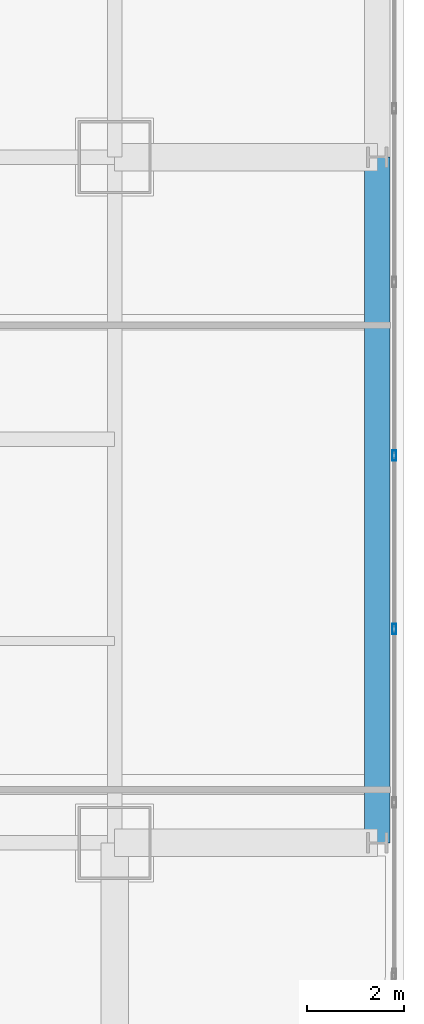
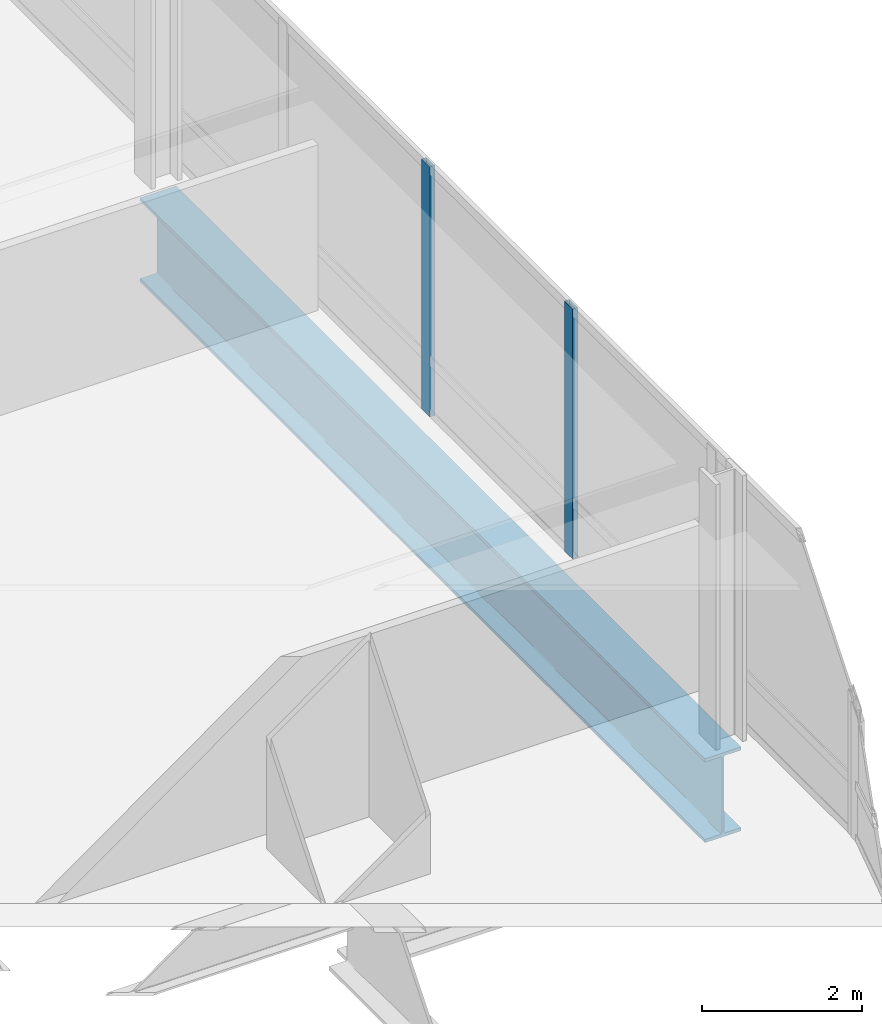
# One storey, part 14 of 35: 2 members, 1 beam, 1 element without a shape of its own.
"""IFC4 building model written with IfcOpenShell, lengths in metres."""

from ifc_helpers import new_model, si_unit, direction, frame, origin, origin_2d, place, context, subcontext, project, spatial, hollow_rectangle, i_section, extrude, material, material_profile, profile_set, type_object, element, aggregate, save


model = new_model("IFC4")

# Units and contexts
model_context = context("Model", 3, precision=1e-05, world=origin(), true_north=direction((0.0, 1.0)))
body_context = subcontext(model_context, "Body", "Model", "MODEL_VIEW")
ifc_project = project(units=[si_unit("LENGTHUNIT", "METRE"), si_unit("AREAUNIT", "SQUARE_METRE"), si_unit("VOLUMEUNIT", "CUBIC_METRE"), si_unit("PLANEANGLEUNIT", "RADIAN"), si_unit("MASSUNIT", "GRAM", prefix="KILO")], contexts=[model_context])

# Site, building, storey
site_placement = place(None, origin())
site = spatial("IfcSite", under=ifc_project, at=site_placement, CompositionType="ELEMENT")
building_placement = place(site_placement, origin())
building = spatial("IfcBuilding", under=site, at=building_placement, Name="Punatoya Terracotta Tower", CompositionType="ELEMENT")
storey_placement = place(building_placement, frame((0.0, 0.0, 64.64990234375)))
storey = spatial("IfcBuildingStorey", under=building, at=storey_placement, Name="L14", CompositionType="ELEMENT", Elevation=64.64990234375)

# Beam
ifc_material_1 = material(Name="Steel S460", Category="steel")
ifc_material_profile_1 = material_profile(ifc_material_1, i_section(OverallWidth=0.52001953125, OverallDepth=1.280029296875, WebThickness=0.031982421875, FlangeThickness=0.050048828125, FilletRadius=0.01806640625, at=origin_2d()))
ifc_profile_set_1 = profile_set([ifc_material_profile_1], Name="Steel S460")
beam_type = type_object("IfcBeamType", Name="BM-TG-NCK", PredefinedType="BEAM", material=ifc_profile_set_1)
beam_placement = place(storey_placement, frame((24.5, -17.5, -0.8798828125), z_axis=(0.0, 1.0, 0.0), x_axis=(-1.0, 0.0, 0.0)))
element("IfcBeam", 1, at=beam_placement, inside=storey, type_object=beam_type, Name="BM-L14-PER-E1", PredefinedType="BEAM", context=body_context, shape_type="SweptSolid", body=[
    extrude(i_section(OverallWidth=0.52001953125, OverallDepth=1.280029296875, WebThickness=0.031982421875, FlangeThickness=0.050048828125, FilletRadius=0.01806640625, at=origin_2d()), origin(), (0.0, 0.0, 1.0), 14.10009765625),
])

# Curtain wall, members
ifc_material_2 = material(Name="Aluminium 6063-T6 + Double Low-E Glass", Category="aluminium")
curtain_wall_type = type_object("IfcCurtainWallType", Name="CW-M1", PredefinedType="NOTDEFINED", material=ifc_material_2)
curtain_wall_placement = place(storey_placement, origin())
curtain_wall = element("IfcCurtainWall", 2, at=curtain_wall_placement, inside=storey, type_object=curtain_wall_type, Name="L14 Curtain Wall CW-L14-E05-1", PredefinedType="NOTDEFINED")
ifc_material_3 = material(Name="Aluminium 6063-T6", Category="aluminium")
ifc_material_profile_2 = material_profile(ifc_material_3, hollow_rectangle(XDim=0.074951171875, YDim=0.2099609375, WallThickness=0.00439453125, at=origin_2d()))
ifc_profile_set_2 = profile_set([ifc_material_profile_2], Name="Aluminium 6063-T6")
member_type = type_object("IfcMemberType", Name="CW-MUL-M1", PredefinedType="MULLION", material=ifc_profile_set_2)
member_1_placement = place(storey_placement, frame((24.85009765625, -13.10205078125, 0.0), z_axis=(0.0, 0.0, 1.0), x_axis=(1.0, 0.0, 0.0)))
member_1 = element("IfcMember", 3, at=member_1_placement, type_object=member_type, Name="CW-L14-E05-1 Mullion 02", PredefinedType="MULLION", context=body_context, shape_type="SweptSolid", body=[
    extrude(hollow_rectangle(XDim=0.074951171875, YDim=0.2099609375, WallThickness=0.00439453125, at=origin_2d()), origin(), (0.0, 0.0, 1.0), 3.81005859375),
])
member_2_placement = place(storey_placement, frame((24.85009765625, -9.534912109375, 0.0), z_axis=(0.0, 0.0, 1.0), x_axis=(1.0, 0.0, 0.0)))
member_2 = element("IfcMember", 4, at=member_2_placement, type_object=member_type, Name="CW-L14-E05-1 Mullion 03", PredefinedType="MULLION", context=body_context, shape_type="SweptSolid", body=[
    extrude(hollow_rectangle(XDim=0.074951171875, YDim=0.2099609375, WallThickness=0.00439453125, at=origin_2d()), origin(), (0.0, 0.0, 1.0), 3.81005859375),
])
aggregate(curtain_wall, [member_1, member_2])

save(model, "model.ifc")
